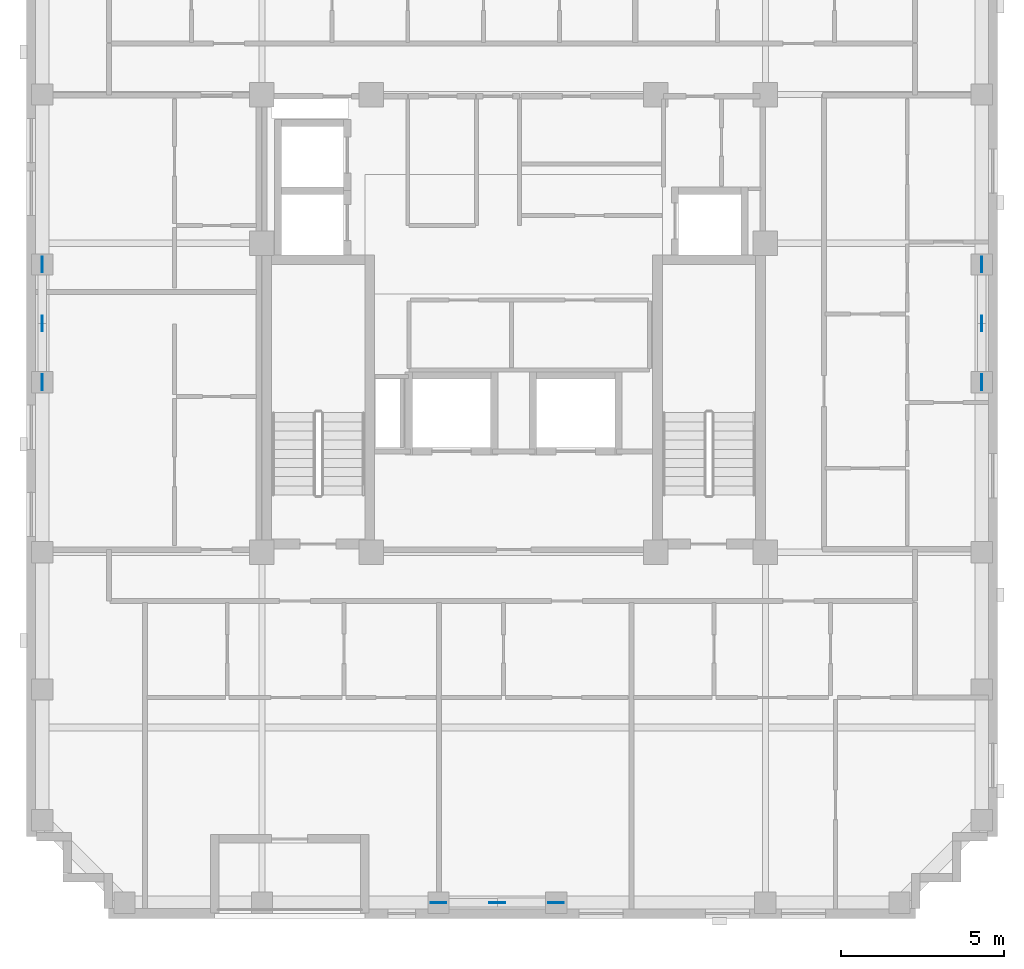
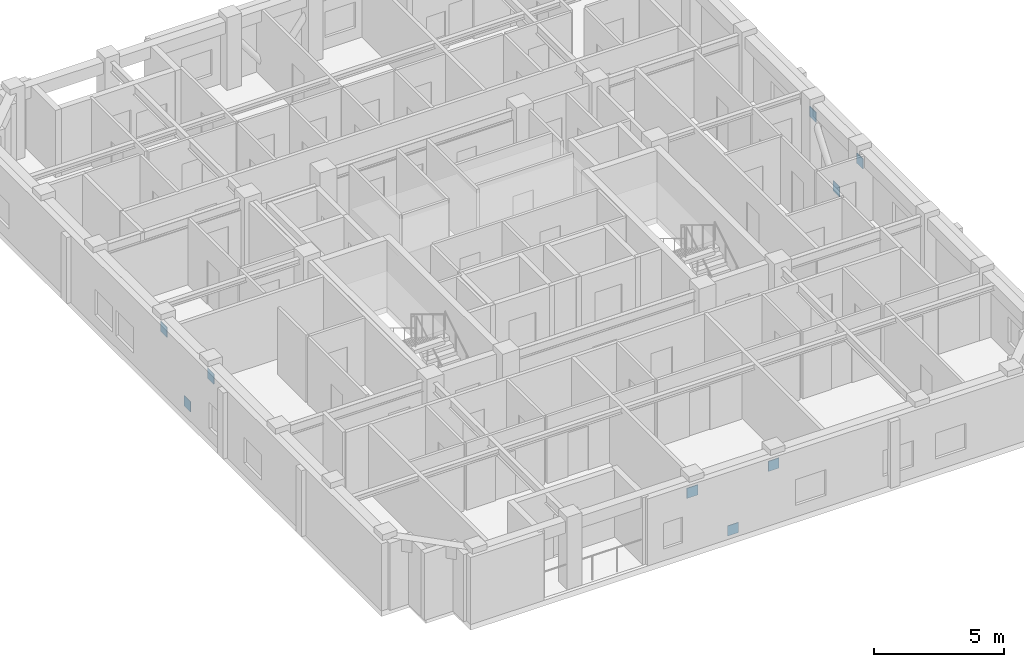
# One storey, part 8 of 11: 9 discrete accessories.
"""IFC4 building model written with IfcOpenShell, lengths in metres."""

from ifc_helpers import new_model, si_unit, derived_unit, direction, frame, origin, origin_2d, place, context, subcontext, project, spatial, rectangle, extrude, material, layer, layer_set, type_object, element, save


model = new_model("IFC4")

# Units and contexts
model_context = context("Model", 3, precision=1e-05, world=origin(), true_north=direction((0.0, 1.0)))
body_context = subcontext(model_context, "Body", "Model", "MODEL_VIEW")
ifc_project = project(units=[si_unit("LENGTHUNIT", "METRE"), si_unit("AREAUNIT", "SQUARE_METRE"), si_unit("VOLUMEUNIT", "CUBIC_METRE"), si_unit("PLANEANGLEUNIT", "RADIAN"), si_unit("MASSUNIT", "GRAM", prefix="KILO"), derived_unit("THERMALTRANSMITTANCEUNIT", [(si_unit("MASSUNIT", "GRAM", prefix="KILO"), 1), (si_unit("TIMEUNIT", "SECOND"), -3), (si_unit("THERMODYNAMICTEMPERATUREUNIT", "KELVIN"), -1)])], contexts=[model_context])

# Site, building, storey
site_placement = place(None, origin())
site = spatial("IfcSite", under=ifc_project, at=site_placement, CompositionType="ELEMENT")
building_placement = place(site_placement, origin())
building = spatial("IfcBuilding", under=site, at=building_placement, Name="Korrvale Station Residences", CompositionType="ELEMENT")
storey_placement = place(building_placement, frame((0.0, 0.0, 251.300048828125)))
storey = spatial("IfcBuildingStorey", under=building, at=storey_placement, Name="L73", CompositionType="ELEMENT", Elevation=251.300048828125)

# Discrete accessories
ifc_material = material(Name="Steel S355", Category="steel")
ifc_layer = layer(ifc_material, 0.02490234375, Name="Steel S355")
ifc_layer_set = layer_set([ifc_layer], Name="Steel S355")
discrete_accessory_type = type_object("IfcDiscreteAccessoryType", Name="ACC-GUSSET-25", PredefinedType="BRACKET", material=ifc_layer_set)
for number, where, z_axis, x_axis, name in (
    (1, (25.0, 4.280029296875, -0.219970703125), (0.0, 0.0, 1.0), (1.0, 0.0, 0.0), "L73 S Brace End Gusset Connection M"),
    (2, (23.199951171875, 4.280029296875, 2.169921875), (0.0, 0.0, 1.0), (1.0, 0.0, 0.0), "L73 S Brace End Gusset Connection A"),
    (3, (26.800048828125, 4.280029296875, 2.169921875), (0.0, 0.0, 1.0), (1.0, 0.0, 0.0), "L73 S Brace End Gusset Connection B"),
    (4, (11.080078125, 22.0, -0.219970703125), (0.0, 0.0, 1.0), (0.0, 1.0, 0.0), "L73 W Brace End Gusset Connection M"),
    (5, (11.080078125, 20.199951171875, 2.169921875), (0.0, 0.0, 1.0), (0.0, 1.0, 0.0), "L73 W Brace End Gusset Connection A"),
    (6, (11.080078125, 23.800048828125, 2.169921875), (0.0, 0.0, 1.0), (0.0, 1.0, 0.0), "L73 W Brace End Gusset Connection B"),
    (7, (39.820068359375, 22.0, -0.219970703125), (0.0, 0.0, 1.0), (0.0, 1.0, 0.0), "L73 E Brace End Gusset Connection M"),
    (8, (39.820068359375, 20.199951171875, 2.169921875), (0.0, 0.0, 1.0), (0.0, 1.0, 0.0), "L73 E Brace End Gusset Connection A"),
    (9, (39.820068359375, 23.800048828125, 2.169921875), (0.0, 0.0, 1.0), (0.0, 1.0, 0.0), "L73 E Brace End Gusset Connection B"),
):
    element("IfcDiscreteAccessory", number, at=place(storey_placement, frame(where, z_axis=z_axis, x_axis=x_axis)), inside=storey, type_object=discrete_accessory_type, Name=name, PredefinedType="BRACKET", context=body_context, shape_type="SweptSolid", body=[
        extrude(rectangle(XDim=0.47998046875, YDim=0.02490234375, at=origin_2d()), origin(), (0.0, 0.0, 1.0), 0.47998046875),
    ])

save(model, "model.ifc")
